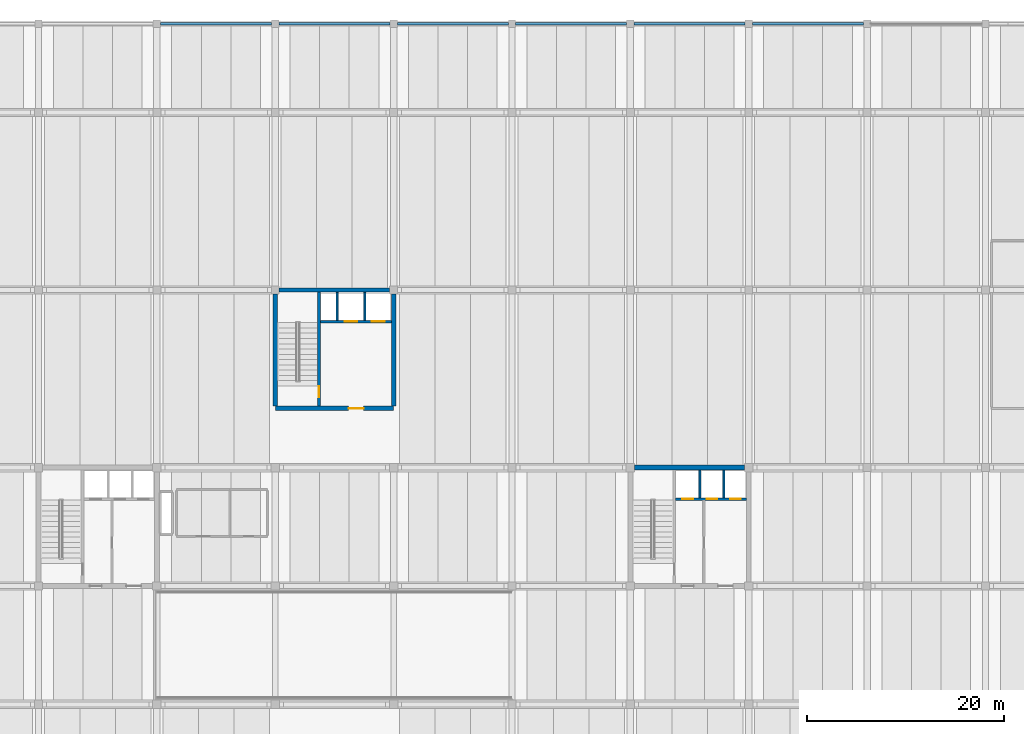
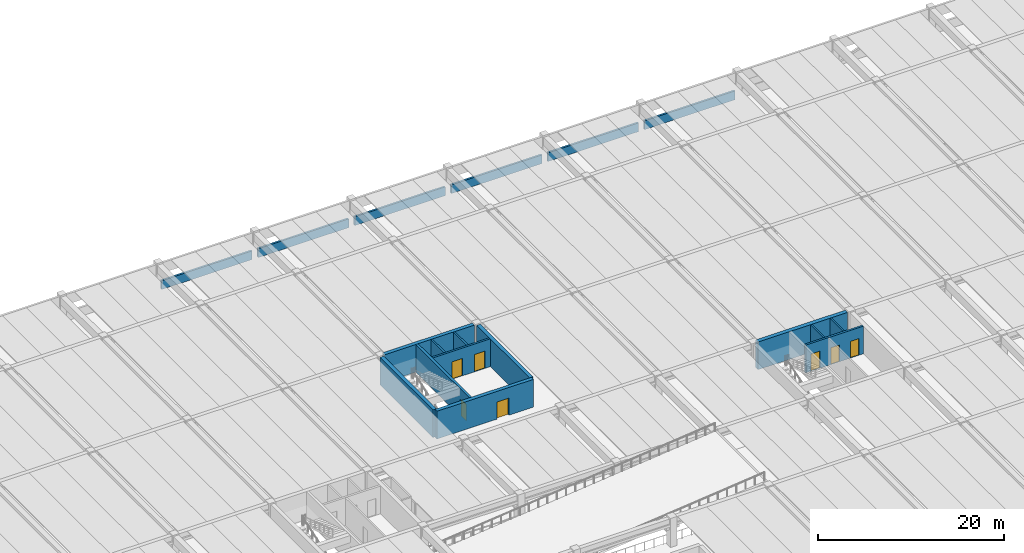
# One storey, part 12 of 21: 18 walls, 7 doors, 7 openings.
"""IFC4 building model written with IfcOpenShell, lengths in metres."""

from ifc_helpers import new_model, si_unit, direction, frame, frame_2d, origin, place, context, subcontext, project, spatial, rectangle, extrude, material, layer, layer_set, type_object, element, fill, save


model = new_model("IFC4")

# Units and contexts
model_context = context("Model", 3, precision=1e-05, world=origin(), true_north=direction((0.0, 1.0)))
body_context = subcontext(model_context, "Body", "Model", "MODEL_VIEW")
ifc_project = project(units=[si_unit("LENGTHUNIT", "METRE"), si_unit("AREAUNIT", "SQUARE_METRE"), si_unit("VOLUMEUNIT", "CUBIC_METRE"), si_unit("PLANEANGLEUNIT", "RADIAN"), si_unit("MASSUNIT", "GRAM", prefix="KILO")], contexts=[model_context])

# Site, building, storey
site_placement = place(None, origin())
site = spatial("IfcSite", under=ifc_project, at=site_placement, CompositionType="ELEMENT")
building_placement = place(site_placement, origin())
building = spatial("IfcBuilding", under=site, at=building_placement, Name="Girod Span Mobility Hub", CompositionType="ELEMENT")
storey_placement = place(building_placement, frame((0.0, 0.0, 17.199951171875)))
storey = spatial("IfcBuildingStorey", under=building, at=storey_placement, Name="L04", CompositionType="ELEMENT", Elevation=17.199951171875)

# Wall, opening, door
ifc_material_1 = material(Name="Concrete C40/50", Category="concrete")
ifc_layer_1 = layer(ifc_material_1, 0.449951171875)
ifc_layer_set_1 = layer_set([ifc_layer_1], Name="Concrete C40/50")
wall_type_1 = type_object("IfcWallType", Name="W-CW-450", PredefinedType="SHEAR", material=ifc_layer_set_1)
wall_1_placement = place(storey_placement, frame((72.0, 75.0, 0.0), z_axis=(0.0, 0.0, 1.0), x_axis=(1.0, 0.0, 0.0)))
wall_1 = element("IfcWall", 1, at=wall_1_placement, inside=storey, type_object=wall_type_1, Name="Core C4 Shear Wall S L04", PredefinedType="SHEAR", context=body_context, shape_type="SweptSolid", body=[
    extrude(rectangle(XDim=12.0, YDim=0.449951171875, at=frame_2d((6.0, 0.0))), origin(), (0.0, 0.0, 1.0), 3.64306640625),
])
opening_1_placement = place(wall_1_placement, frame((7.449951171875, 0.0, 0.0)))
opening_1 = element("IfcOpeningElement", 2, at=opening_1_placement, cuts=wall_1, Name="Opening D-LB-C4-L04", PredefinedType="OPENING", context=body_context, shape_type="SweptSolid", body=[
    extrude(rectangle(XDim=1.5, YDim=2.25, at=frame_2d((0.75, 1.125))), frame((0.0, 0.239990234375, 0.0), z_axis=(0.0, -1.0, 0.0), x_axis=(1.0, 0.0, 0.0)), (0.0, 0.0, 1.0), 0.47998046875),
])
ifc_material_2 = material(Name="Fire-Rated Insulated Hollow Metal Steel", Category="steel")
door_type_1 = type_object("IfcDoorType", Name="DT-FD-03", OperationType="DOUBLE_DOOR_SINGLE_SWING", PredefinedType="DOOR", material=ifc_material_2)
door_1_placement = place(opening_1_placement, origin())
door_1 = element("IfcDoor", 3, at=door_1_placement, inside=storey, type_object=door_type_1, Name="Core C4 Cargo Lift Lobby Door L04", OperationType="DOUBLE_DOOR_SINGLE_SWING", OverallHeight=2.25, OverallWidth=1.5, PredefinedType="DOOR", context=body_context, shape_type="SweptSolid", body=[
    extrude(rectangle(XDim=1.5, YDim=2.25, at=frame_2d((0.75, 1.125))), frame((0.0, 0.02490234375, 0.0), z_axis=(0.0, -1.0, 0.0), x_axis=(1.0, 0.0, 0.0)), (0.0, 0.0, 1.0), 0.050048828125),
])
fill(opening_1, door_1)

# Walls
wall_2_placement = place(storey_placement, frame((72.39697265625, 87.0, 0.0), z_axis=(0.0, 0.0, 1.0), x_axis=(1.0, 0.0, 0.0)))
element("IfcWall", 4, at=wall_2_placement, inside=storey, type_object=wall_type_1, Name="Core C4 Shear Wall N L04", PredefinedType="SHEAR", context=body_context, shape_type="SweptSolid", body=[
    extrude(rectangle(XDim=11.2060546875, YDim=0.449951171875, at=frame_2d((5.60302734375, 0.0))), origin(), (0.0, 0.0, 1.0), 3.64306640625),
])
for number, where, z_axis, x_axis, name in (
    (5, (72.0, 75.221923828125, 0.0), (0.0, 0.0, 1.0), (0.0, 1.0, 0.0), "Core C4 Shear Wall W L04"),
    (6, (84.0, 75.221923828125, 0.0), (0.0, 0.0, 1.0), (0.0, 1.0, 0.0), "Core C4 Shear Wall E L04"),
):
    element("IfcWall", number, at=place(storey_placement, frame(where, z_axis=z_axis, x_axis=x_axis)), inside=storey, type_object=wall_type_1, Name=name, PredefinedType="SHEAR", context=body_context, shape_type="SweptSolid", body=[
        extrude(rectangle(XDim=11.381103515625, YDim=0.449951171875, at=frame_2d((5.6904296875, 0.0))), origin(), (0.0, 0.0, 1.0), 3.64306640625),
    ])
ifc_material_3 = material(Name="Concrete C40/50", Category="concrete")
ifc_layer_2 = layer(ifc_material_3, 0.5)
ifc_layer_set_2 = layer_set([ifc_layer_2], Name="Concrete C40/50")
wall_type_2 = type_object("IfcWallType", Name="W-CW-500", PredefinedType="SHEAR", material=ifc_layer_set_2)
wall_3_placement = place(storey_placement, frame((108.422119140625, 69.0, 0.0), z_axis=(0.0, 0.0, 1.0), x_axis=(1.0, 0.0, 0.0)))
element("IfcWall", 7, at=wall_3_placement, inside=storey, type_object=wall_type_2, Name="Core C2 Shear Wall N L04", PredefinedType="SHEAR", context=body_context, shape_type="SweptSolid", body=[
    extrude(rectangle(XDim=11.15576171875, YDim=0.5, at=frame_2d((5.577880859375, 0.0))), origin(), (0.0, 0.0, 1.0), 3.64306640625),
])
ifc_material_4 = material(Name="Precast Architectural Concrete C40/50", Category="concrete")
ifc_layer_3 = layer(ifc_material_4, 0.239990234375)
ifc_layer_set_3 = layer_set([ifc_layer_3], Name="Precast Architectural Concrete C40/50")
wall_type_3 = type_object("IfcWallType", Name="W-PAR-240", PredefinedType="PARAPET", material=ifc_layer_set_3)
for number, where, z_axis, x_axis, name in (
    (8, (60.373046875, 114.0, 0.0), (0.0, 0.0, 1.0), (1.0, 0.0, 0.0), "Precast Parking Barrier Parapet N-6 L04"),
    (9, (72.373046875, 114.0, 0.0), (0.0, 0.0, 1.0), (1.0, 0.0, 0.0), "Precast Parking Barrier Parapet N-7 L04"),
    (10, (84.373046875, 114.0, 0.0), (0.0, 0.0, 1.0), (1.0, 0.0, 0.0), "Precast Parking Barrier Parapet N-8 L04"),
    (11, (96.373046875, 114.0, 0.0), (0.0, 0.0, 1.0), (1.0, 0.0, 0.0), "Precast Parking Barrier Parapet N-9 L04"),
    (12, (108.373046875, 114.0, 0.0), (0.0, 0.0, 1.0), (1.0, 0.0, 0.0), "Precast Parking Barrier Parapet N-10 L04"),
    (13, (120.373046875, 114.0, 0.0), (0.0, 0.0, 1.0), (1.0, 0.0, 0.0), "Precast Parking Barrier Parapet N-11 L04"),
):
    element("IfcWall", number, at=place(storey_placement, frame(where, z_axis=z_axis, x_axis=x_axis)), inside=storey, type_object=wall_type_3, Name=name, PredefinedType="PARAPET", context=body_context, shape_type="SweptSolid", body=[
        extrude(rectangle(XDim=11.25390625, YDim=0.239990234375, at=frame_2d((5.626953125, 0.0))), origin(), (0.0, 0.0, 1.0), 1.150146484375),
    ])
ifc_material_5 = material(Name="Concrete C40/50", Category="concrete")
ifc_layer_4 = layer(ifc_material_5, 0.199951171875)
ifc_layer_set_4 = layer_set([ifc_layer_4], Name="Concrete C40/50")
wall_type_4 = type_object("IfcWallType", Name="W-SH-200", PredefinedType="SOLIDWALL", material=ifc_layer_set_4)
for number, where, z_axis, x_axis, name in (
    (14, (115.050048828125, 65.919921875, 0.0), (0.0, 0.0, 1.0), (0.0, 1.0, 0.0), "Core C2 Shaft Divider 1 L04"),
    (15, (117.47998046875, 65.919921875, 0.0), (0.0, 0.0, 1.0), (0.0, 1.0, 0.0), "Core C2 Shaft Divider 2 L04"),
):
    element("IfcWall", number, at=place(storey_placement, frame(where, z_axis=z_axis, x_axis=x_axis)), inside=storey, type_object=wall_type_4, Name=name, PredefinedType="SOLIDWALL", context=body_context, shape_type="SweptSolid", body=[
        extrude(rectangle(XDim=2.830078125, YDim=0.199951171875, at=frame_2d((1.4150390625, 0.0))), origin(), (0.0, 0.0, 1.0), 3.633056640625),
    ])
for number, where, z_axis, x_axis, name in (
    (16, (78.280029296875, 83.919921875, 0.0), (0.0, 0.0, 1.0), (0.0, 1.0, 0.0), "Core C4 Shaft Divider 1 L04"),
    (17, (81.080078125, 83.919921875, 0.0), (0.0, 0.0, 1.0), (0.0, 1.0, 0.0), "Core C4 Shaft Divider 2 L04"),
):
    element("IfcWall", number, at=place(storey_placement, frame(where, z_axis=z_axis, x_axis=x_axis)), inside=storey, type_object=wall_type_4, Name=name, PredefinedType="SOLIDWALL", context=body_context, shape_type="SweptSolid", body=[
        extrude(rectangle(XDim=2.85498046875, YDim=0.199951171875, at=frame_2d((1.427490234375, 0.0))), origin(), (0.0, 0.0, 1.0), 3.633056640625),
    ])

# Wall, openings, doors
ifc_material_6 = material(Name="Concrete C40/50", Category="concrete")
ifc_layer_5 = layer(ifc_material_6, 0.25)
ifc_layer_set_5 = layer_set([ifc_layer_5], Name="Concrete C40/50")
wall_type_5 = type_object("IfcWallType", Name="W-SH-250", PredefinedType="SOLIDWALL", material=ifc_layer_set_5)
wall_4_placement = place(storey_placement, frame((112.596923828125, 65.800048828125, 0.0), z_axis=(0.0, 0.0, 1.0), x_axis=(1.0, 0.0, 0.0)))
wall_4 = element("IfcWall", 18, at=wall_4_placement, inside=storey, type_object=wall_type_5, Name="Core C2 Hoistway Front Wall L04", PredefinedType="SOLIDWALL", context=body_context, shape_type="SweptSolid", body=[
    extrude(rectangle(XDim=7.156005859375, YDim=0.25, at=frame_2d((3.578125, 0.0))), origin(), (0.0, 0.0, 1.0), 3.64306640625),
])
opening_2_placement = place(wall_4_placement, frame((0.653076171875, 0.0, 0.0)))
opening_2 = element("IfcOpeningElement", 19, at=opening_2_placement, cuts=wall_4, Name="Opening LD-FL-2-L04", PredefinedType="OPENING", context=body_context, shape_type="SweptSolid", body=[
    extrude(rectangle(XDim=1.10009765625, YDim=2.239990234375, at=frame_2d((0.550048828125, 1.1201171875))), frame((0.0, 0.139892578125, 0.0), z_axis=(0.0, -1.0, 0.0), x_axis=(1.0, 0.0, 0.0)), (0.0, 0.0, 1.0), 0.280029296875),
])
opening_3_placement = place(wall_4_placement, frame((3.153076171875, 0.0, 0.0)))
opening_3 = element("IfcOpeningElement", 20, at=opening_3_placement, cuts=wall_4, Name="Opening LD-LP-3-L04", PredefinedType="OPENING", context=body_context, shape_type="SweptSolid", body=[
    extrude(rectangle(XDim=1.050048828125, YDim=2.199951171875, at=frame_2d((0.52490234375, 1.10009765625))), frame((0.0, 0.139892578125, 0.0), z_axis=(0.0, -1.0, 0.0), x_axis=(1.0, 0.0, 0.0)), (0.0, 0.0, 1.0), 0.280029296875),
])
opening_4_placement = place(wall_4_placement, frame((5.528076171875, 0.0, 0.0)))
opening_4 = element("IfcOpeningElement", 21, at=opening_4_placement, cuts=wall_4, Name="Opening LD-LP-4-L04", PredefinedType="OPENING", context=body_context, shape_type="SweptSolid", body=[
    extrude(rectangle(XDim=1.050048828125, YDim=2.199951171875, at=frame_2d((0.52490234375, 1.10009765625))), frame((0.0, 0.139892578125, 0.0), z_axis=(0.0, -1.0, 0.0), x_axis=(1.0, 0.0, 0.0)), (0.0, 0.0, 1.0), 0.280029296875),
])
ifc_material_7 = material(Name="Brushed Stainless Steel Grade 304", Category="steel")
door_type_2 = type_object("IfcDoorType", Name="LD-FL-110", OperationType="SLIDING_TO_LEFT", PredefinedType="USERDEFINED", material=ifc_material_7)
door_2_placement = place(opening_2_placement, origin())
door_2 = element("IfcDoor", 22, at=door_2_placement, inside=storey, type_object=door_type_2, Name="Lift FL-2 Sliding Landing Door L04", ObjectType="LANDING DOOR", OperationType="SLIDING_TO_LEFT", OverallHeight=2.239990234375, OverallWidth=1.10009765625, PredefinedType="USERDEFINED", context=body_context, shape_type="SweptSolid", body=[
    extrude(rectangle(XDim=1.10009765625, YDim=2.239990234375, at=frame_2d((0.550048828125, 1.1201171875))), frame((0.0, 0.02490234375, 0.0), z_axis=(0.0, -1.0, 0.0), x_axis=(1.0, 0.0, 0.0)), (0.0, 0.0, 1.0), 0.050048828125),
])
fill(opening_2, door_2)
ifc_material_8 = material(Name="Brushed Stainless Steel Grade 304", Category="steel")
door_type_3 = type_object("IfcDoorType", Name="LD-LP-105", OperationType="SLIDING_TO_LEFT", PredefinedType="USERDEFINED", material=ifc_material_8)
door_3_placement = place(opening_3_placement, origin())
door_3 = element("IfcDoor", 23, at=door_3_placement, inside=storey, type_object=door_type_3, Name="Lift LP-3 Sliding Landing Door L04", ObjectType="LANDING DOOR", OperationType="SLIDING_TO_LEFT", OverallHeight=2.199951171875, OverallWidth=1.050048828125, PredefinedType="USERDEFINED", context=body_context, shape_type="SweptSolid", body=[
    extrude(rectangle(XDim=1.050048828125, YDim=2.199951171875, at=frame_2d((0.52490234375, 1.10009765625))), frame((0.0, 0.02490234375, 0.0), z_axis=(0.0, -1.0, 0.0), x_axis=(1.0, 0.0, 0.0)), (0.0, 0.0, 1.0), 0.050048828125),
])
fill(opening_3, door_3)
door_4_placement = place(opening_4_placement, origin())
door_4 = element("IfcDoor", 24, at=door_4_placement, inside=storey, type_object=door_type_3, Name="Lift LP-4 Sliding Landing Door L04", ObjectType="LANDING DOOR", OperationType="SLIDING_TO_LEFT", OverallHeight=2.199951171875, OverallWidth=1.050048828125, PredefinedType="USERDEFINED", context=body_context, shape_type="SweptSolid", body=[
    extrude(rectangle(XDim=1.050048828125, YDim=2.199951171875, at=frame_2d((0.52490234375, 1.10009765625))), frame((0.0, 0.02490234375, 0.0), z_axis=(0.0, -1.0, 0.0), x_axis=(1.0, 0.0, 0.0)), (0.0, 0.0, 1.0), 0.050048828125),
])
fill(opening_4, door_4)

wall_5_placement = place(storey_placement, frame((76.596923828125, 83.800048828125, 0.0), z_axis=(0.0, 0.0, 1.0), x_axis=(1.0, 0.0, 0.0)))
wall_5 = element("IfcWall", 25, at=wall_5_placement, inside=storey, type_object=wall_type_5, Name="Core C4 Hoistway Front Wall L04", PredefinedType="SOLIDWALL", context=body_context, shape_type="SweptSolid", body=[
    extrude(rectangle(XDim=7.18115234375, YDim=0.25, at=frame_2d((3.590576171875, 0.0))), origin(), (0.0, 0.0, 1.0), 3.64306640625),
])
opening_5_placement = place(wall_5_placement, frame((2.43310546875, 0.0, 0.0)))
opening_5 = element("IfcOpeningElement", 26, at=opening_5_placement, cuts=wall_5, Name="Opening LD-LB-1-L04", PredefinedType="OPENING", context=body_context, shape_type="SweptSolid", body=[
    extrude(rectangle(XDim=1.300048828125, YDim=2.280029296875, at=frame_2d((0.64990234375, 1.14013671875))), frame((0.0, 0.139892578125, 0.0), z_axis=(0.0, -1.0, 0.0), x_axis=(1.0, 0.0, 0.0)), (0.0, 0.0, 1.0), 0.280029296875),
])
opening_6_placement = place(wall_5_placement, frame((5.202880859375, 0.0, 0.0)))
opening_6 = element("IfcOpeningElement", 27, at=opening_6_placement, cuts=wall_5, Name="Opening LD-LB-2-L04", PredefinedType="OPENING", context=body_context, shape_type="SweptSolid", body=[
    extrude(rectangle(XDim=1.300048828125, YDim=2.280029296875, at=frame_2d((0.64990234375, 1.14013671875))), frame((0.0, 0.139892578125, 0.0), z_axis=(0.0, -1.0, 0.0), x_axis=(1.0, 0.0, 0.0)), (0.0, 0.0, 1.0), 0.280029296875),
])
ifc_material_9 = material(Name="Brushed Stainless Steel Grade 304", Category="steel")
door_type_4 = type_object("IfcDoorType", Name="LD-LB-130", OperationType="SLIDING_TO_LEFT", PredefinedType="USERDEFINED", material=ifc_material_9)
door_5_placement = place(opening_5_placement, origin())
door_5 = element("IfcDoor", 28, at=door_5_placement, inside=storey, type_object=door_type_4, Name="Lift LB-1 Sliding Landing Door L04", ObjectType="LANDING DOOR", OperationType="SLIDING_TO_LEFT", OverallHeight=2.280029296875, OverallWidth=1.300048828125, PredefinedType="USERDEFINED", context=body_context, shape_type="SweptSolid", body=[
    extrude(rectangle(XDim=1.300048828125, YDim=2.280029296875, at=frame_2d((0.64990234375, 1.14013671875))), frame((0.0, 0.02490234375, 0.0), z_axis=(0.0, -1.0, 0.0), x_axis=(1.0, 0.0, 0.0)), (0.0, 0.0, 1.0), 0.050048828125),
])
fill(opening_5, door_5)
door_6_placement = place(opening_6_placement, origin())
door_6 = element("IfcDoor", 29, at=door_6_placement, inside=storey, type_object=door_type_4, Name="Lift LB-2 Sliding Landing Door L04", ObjectType="LANDING DOOR", OperationType="SLIDING_TO_LEFT", OverallHeight=2.280029296875, OverallWidth=1.300048828125, PredefinedType="USERDEFINED", context=body_context, shape_type="SweptSolid", body=[
    extrude(rectangle(XDim=1.300048828125, YDim=2.280029296875, at=frame_2d((0.64990234375, 1.14013671875))), frame((0.0, 0.02490234375, 0.0), z_axis=(0.0, -1.0, 0.0), x_axis=(1.0, 0.0, 0.0)), (0.0, 0.0, 1.0), 0.050048828125),
])
fill(opening_6, door_6)

# Wall, opening, door
ifc_material_10 = material(Name="Concrete C40/50", Category="concrete")
ifc_layer_6 = layer(ifc_material_10, 0.300048828125)
ifc_layer_set_6 = layer_set([ifc_layer_6], Name="Concrete C40/50")
wall_type_6 = type_object("IfcWallType", Name="W-SH-300", PredefinedType="SHEAR", material=ifc_layer_set_6)
wall_6_placement = place(storey_placement, frame((76.449951171875, 75.221923828125, 0.0), z_axis=(0.0, 0.0, 1.0), x_axis=(0.0, 1.0, 0.0)))
wall_6 = element("IfcWall", 30, at=wall_6_placement, inside=storey, type_object=wall_type_6, Name="Core C4 Stairwell Spine Wall L04", PredefinedType="SHEAR", context=body_context, shape_type="SweptSolid", body=[
    extrude(rectangle(XDim=11.55615234375, YDim=0.300048828125, at=frame_2d((5.778076171875, 0.0))), origin(), (0.0, 0.0, 1.0), 3.64306640625),
])
opening_7_placement = place(wall_6_placement, frame((0.89990234375, 0.0, 0.0)))
opening_7 = element("IfcOpeningElement", 31, at=opening_7_placement, cuts=wall_6, Name="Opening D-ST-4-L04", PredefinedType="OPENING", context=body_context, shape_type="SweptSolid", body=[
    extrude(rectangle(XDim=1.10009765625, YDim=2.199951171875, at=frame_2d((0.550048828125, 1.10009765625))), frame((0.0, 0.1650390625, 0.0), z_axis=(0.0, -1.0, 0.0), x_axis=(1.0, 0.0, 0.0)), (0.0, 0.0, 1.0), 0.330078125),
])
ifc_material_11 = material(Name="Fire-Rated Insulated Hollow Metal Steel", Category="steel")
door_type_5 = type_object("IfcDoorType", Name="DT-FD-01", OperationType="NOTDEFINED", PredefinedType="DOOR", material=ifc_material_11)
door_7_placement = place(opening_7_placement, origin())
door_7 = element("IfcDoor", 32, at=door_7_placement, inside=storey, type_object=door_type_5, Name="Stair ST-4 Fire Door L04", OperationType="SINGLE_SWING_LEFT", OverallHeight=2.199951171875, OverallWidth=1.10009765625, PredefinedType="DOOR", context=body_context, shape_type="SweptSolid", body=[
    extrude(rectangle(XDim=1.10009765625, YDim=2.199951171875, at=frame_2d((0.550048828125, 1.10009765625))), frame((0.0, 0.02490234375, 0.0), z_axis=(0.0, -1.0, 0.0), x_axis=(1.0, 0.0, 0.0)), (0.0, 0.0, 1.0), 0.050048828125),
])
fill(opening_7, door_7)

save(model, "model.ifc")
